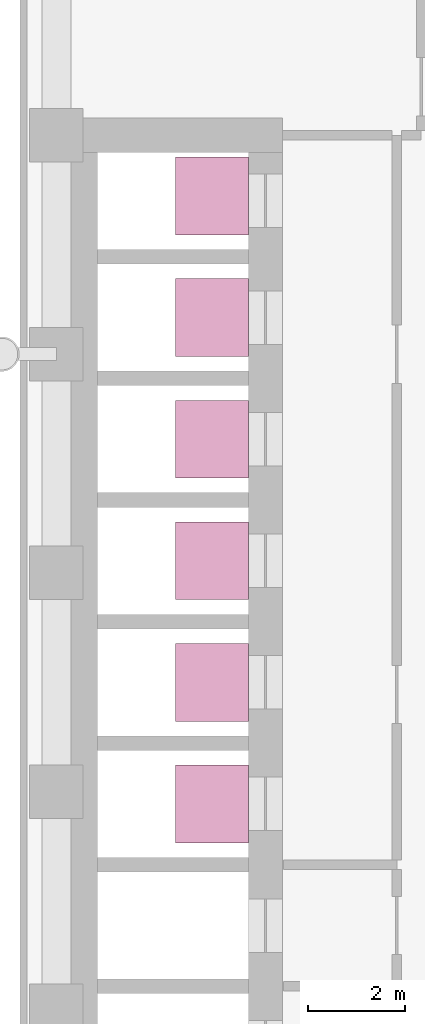
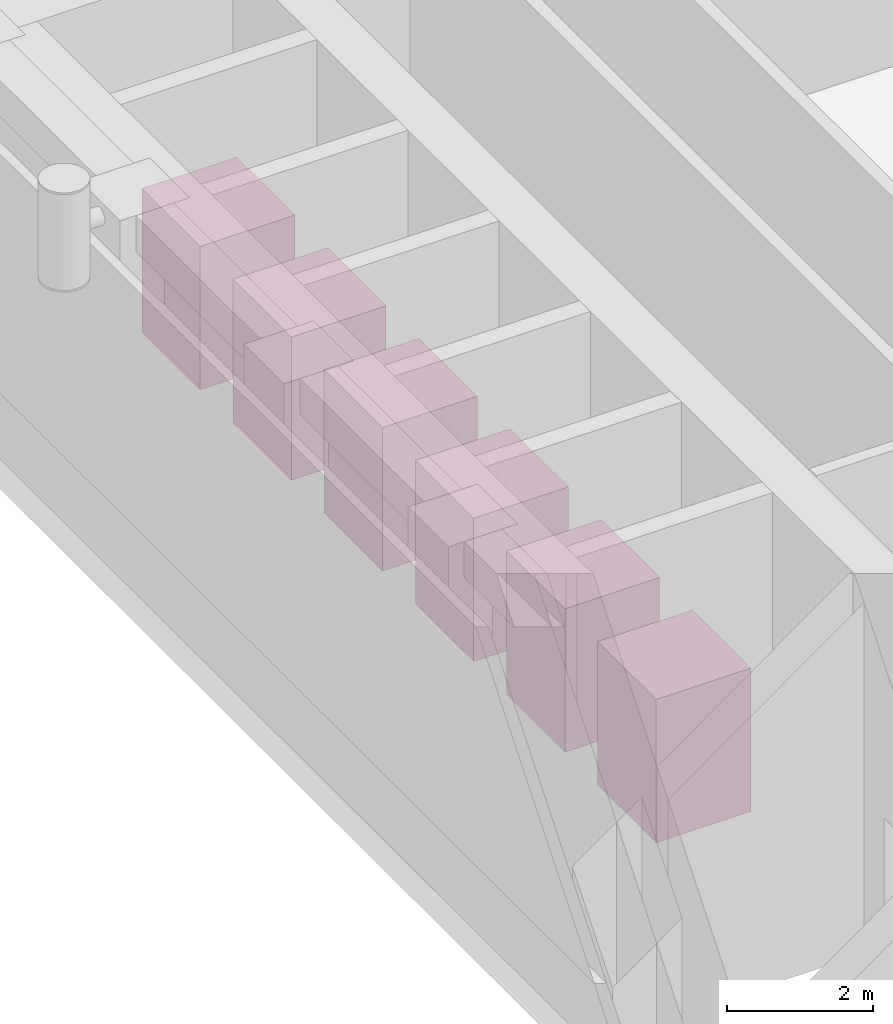
# One storey, part 22 of 22: 6 transport elements.
"""IFC4 building model written with IfcOpenShell, lengths in metres."""

from ifc_helpers import new_model, si_unit, direction, frame, origin, origin_2d, place, context, subcontext, project, spatial, rectangle, extrude, material, type_object, element, save


model = new_model("IFC4")

# Units and contexts
model_context = context("Model", 3, precision=1e-05, world=origin(), true_north=direction((0.0, 1.0)))
body_context = subcontext(model_context, "Body", "Model", "MODEL_VIEW")
ifc_project = project(units=[si_unit("LENGTHUNIT", "METRE"), si_unit("AREAUNIT", "SQUARE_METRE"), si_unit("VOLUMEUNIT", "CUBIC_METRE"), si_unit("PLANEANGLEUNIT", "RADIAN"), si_unit("MASSUNIT", "GRAM", prefix="KILO")], contexts=[model_context])

# Site, building, storey
site_placement = place(None, origin())
site = spatial("IfcSite", under=ifc_project, at=site_placement, CompositionType="ELEMENT")
building_placement = place(site_placement, origin())
building = spatial("IfcBuilding", under=site, at=building_placement, Name="Firuza Court", CompositionType="ELEMENT")
storey_placement = place(building_placement, frame((0.0, 0.0, 113.60009765625)))
storey = spatial("IfcBuildingStorey", under=building, at=storey_placement, Name="L28", CompositionType="ELEMENT", Elevation=113.60009765625)

# Transport elements
ifc_material = material(Name="Stainless steel 1.4301 car", Category="steel")
transport_element_type = type_object("IfcTransportElementType", Name="Passenger lift car 1600 x 1500", PredefinedType="ELEVATOR", material=ifc_material)
for number, where, z_axis, x_axis, name in (
    (1, (3.199951171875, 48.25, 0.0), (0.0, 0.0, 1.0), (1.0, 0.0, 0.0), "Lift HB1"),
    (2, (3.199951171875, 45.75, 0.0), (0.0, 0.0, 1.0), (1.0, 0.0, 0.0), "Lift HB2"),
    (3, (3.199951171875, 43.25, 0.0), (0.0, 0.0, 1.0), (1.0, 0.0, 0.0), "Lift HB3"),
    (4, (3.199951171875, 40.75, 0.0), (0.0, 0.0, 1.0), (1.0, 0.0, 0.0), "Lift HB4"),
    (5, (3.199951171875, 38.25, 0.0), (0.0, 0.0, 1.0), (1.0, 0.0, 0.0), "Lift HB5"),
    (6, (3.199951171875, 35.75, 0.0), (0.0, 0.0, 1.0), (1.0, 0.0, 0.0), "Lift HB6"),
):
    element("IfcTransportElement", number, at=place(storey_placement, frame(where, z_axis=z_axis, x_axis=x_axis)), inside=storey, type_object=transport_element_type, Name=name, PredefinedType="ELEVATOR", context=body_context, shape_type="SweptSolid", body=[
        extrude(rectangle(XDim=1.5, YDim=1.60009765625, at=origin_2d()), origin(), (0.0, 0.0, 1.0), 2.39990234375),
    ])

save(model, "model.ifc")
